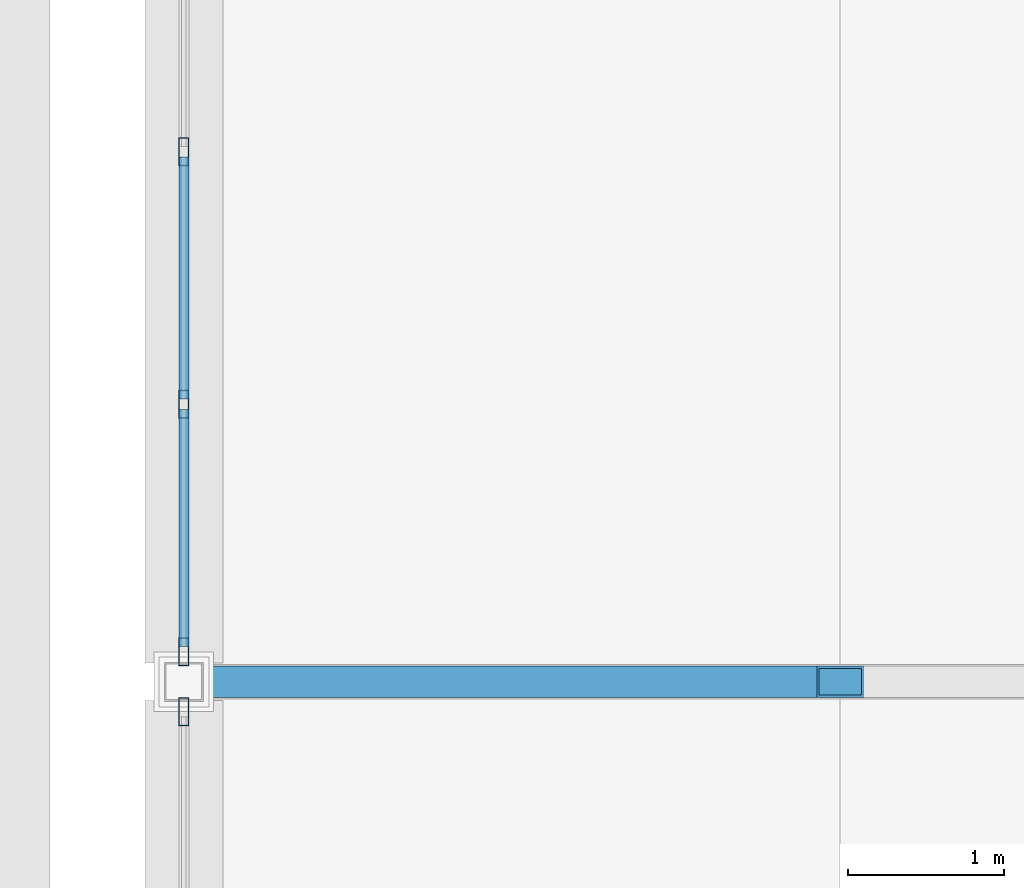
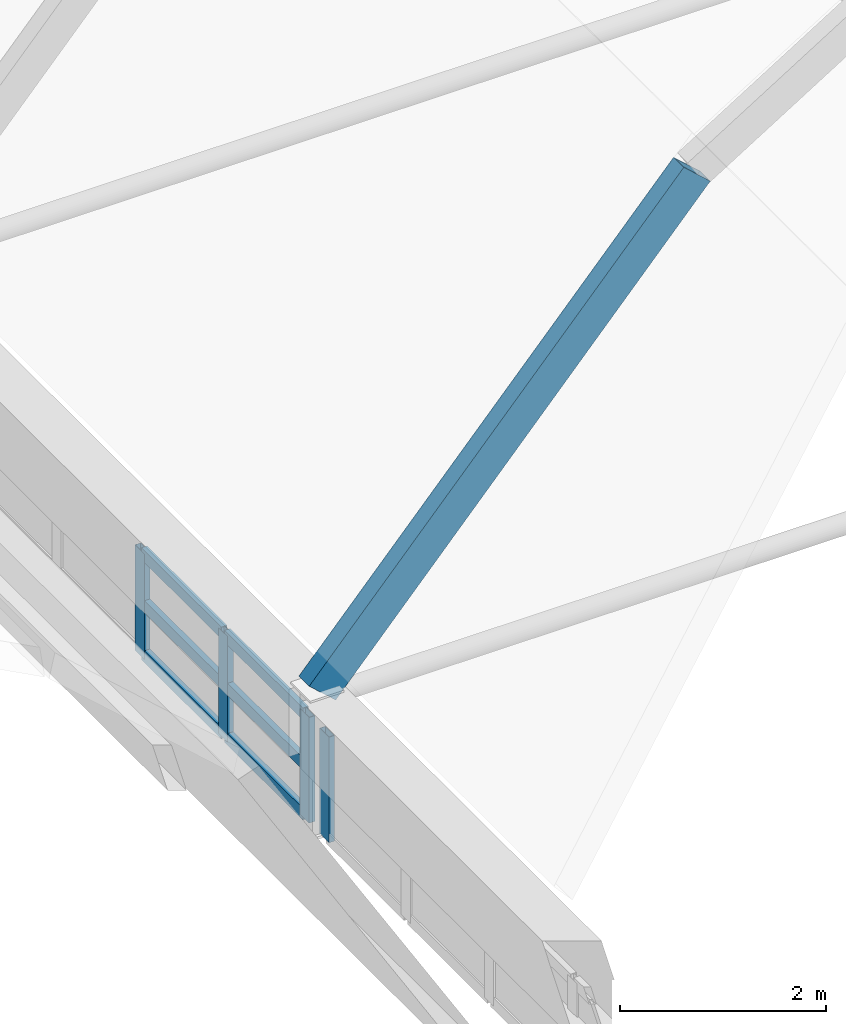
# One storey, part 13 of 114: 10 members, 1 beam, 2 elements without a shape of their own.
"""IFC4 building model written with IfcOpenShell, lengths in metres."""

from ifc_helpers import new_model, si_unit, direction, frame, origin, origin_2d, place, context, subcontext, project, spatial, hollow_rectangle, extrude, material, layer, layer_set, material_profile, profile_set, type_object, element, aggregate, save


model = new_model("IFC4")

# Units and contexts
model_context = context("Model", 3, precision=1e-05, world=origin(), true_north=direction((0.0, 1.0)))
body_context = subcontext(model_context, "Body", "Model", "MODEL_VIEW")
ifc_project = project(units=[si_unit("LENGTHUNIT", "METRE"), si_unit("AREAUNIT", "SQUARE_METRE"), si_unit("VOLUMEUNIT", "CUBIC_METRE"), si_unit("PLANEANGLEUNIT", "RADIAN"), si_unit("MASSUNIT", "GRAM", prefix="KILO")], contexts=[model_context])

# Site, building, storey
site_placement = place(None, origin())
site = spatial("IfcSite", under=ifc_project, at=site_placement, CompositionType="ELEMENT")
building_placement = place(site_placement, origin())
building = spatial("IfcBuilding", under=site, at=building_placement, Name="Xazarin Passage Department Store", CompositionType="ELEMENT")
storey_placement = place(building_placement, frame((0.0, 0.0, 14.39990234375)))
storey = spatial("IfcBuildingStorey", under=building, at=storey_placement, Name="L03", CompositionType="ELEMENT", Elevation=14.39990234375)

# Curtain wall, member
ifc_material_1 = material(Name="Bronze anodised aluminium", Category="aluminium")
ifc_layer = layer(ifc_material_1, 0.159912109375)
ifc_layer_set = layer_set([ifc_layer], Name="Bronze anodised aluminium")
curtain_wall_type = type_object("IfcCurtainWallType", Name="ARC-CW-ARC1", PredefinedType="NOTDEFINED", material=ifc_layer_set)
curtain_wall_1_placement = place(storey_placement, origin())
curtain_wall_1 = element("IfcCurtainWall", 1, at=curtain_wall_1_placement, inside=storey, type_object=curtain_wall_type, Name="L03 V2S Galleria Clerestory Curtain Wall 1W", PredefinedType="NOTDEFINED")
ifc_material_profile_1 = material_profile(ifc_material_1, hollow_rectangle(XDim=0.06494140625, YDim=0.179931640625, WallThickness=0.00390625, at=origin_2d()), Name="ALU 65x180")
ifc_profile_set_1 = profile_set([ifc_material_profile_1], Name="Bronze anodised aluminium")
member_type_1 = type_object("IfcMemberType", Name="ARC-CWM-65x180", PredefinedType="MULLION", material=ifc_profile_set_1)
member_1_placement = place(storey_placement, frame((68.0, 8.20751953125, 0.0), z_axis=(0.0, 0.0, 1.0), x_axis=(-1.0, 0.0, 0.0)))
member_1 = element("IfcMember", 2, at=member_1_placement, type_object=member_type_1, Name="CW3 mullion 6", PredefinedType="MULLION", context=body_context, shape_type="SweptSolid", body=[
    extrude(hollow_rectangle(XDim=0.06494140625, YDim=0.179931640625, WallThickness=0.00390625, at=origin_2d()), origin(), (0.0, 0.0, 1.0), 1.251708984375),
])
aggregate(curtain_wall_1, [member_1])

# Curtain wall, members
curtain_wall_2_placement = place(storey_placement, origin())
curtain_wall_2 = element("IfcCurtainWall", 3, at=curtain_wall_2_placement, inside=storey, type_object=curtain_wall_type, Name="L03 V2S Galleria Clerestory Curtain Wall 2W", PredefinedType="NOTDEFINED")
member_2_placement = place(storey_placement, frame((68.0, 8.592529296875, 0.0), z_axis=(0.0, 0.0, 1.0), x_axis=(-1.0, 0.0, 0.0)))
member_2 = element("IfcMember", 4, at=member_2_placement, type_object=member_type_1, Name="CW3 mullion 1", PredefinedType="MULLION", context=body_context, shape_type="SweptSolid", body=[
    extrude(hollow_rectangle(XDim=0.06494140625, YDim=0.179931640625, WallThickness=0.00390625, at=origin_2d()), origin(), (0.0, 0.0, 1.0), 1.251708984375),
])
member_3_placement = place(storey_placement, frame((68.0, 10.176025390625, 0.0), z_axis=(0.0, 0.0, 1.0), x_axis=(-1.0, 0.0, 0.0)))
member_3 = element("IfcMember", 5, at=member_3_placement, type_object=member_type_1, Name="CW3 mullion 2", PredefinedType="MULLION", context=body_context, shape_type="SweptSolid", body=[
    extrude(hollow_rectangle(XDim=0.06494140625, YDim=0.179931640625, WallThickness=0.00390625, at=origin_2d()), origin(), (0.0, 0.0, 1.0), 1.251708984375),
])
member_4_placement = place(storey_placement, frame((68.0, 11.7919921875, 0.0), z_axis=(0.0, 0.0, 1.0), x_axis=(-1.0, 0.0, 0.0)))
member_4 = element("IfcMember", 6, at=member_4_placement, type_object=member_type_1, Name="CW3 mullion 3", PredefinedType="MULLION", context=body_context, shape_type="SweptSolid", body=[
    extrude(hollow_rectangle(XDim=0.06494140625, YDim=0.179931640625, WallThickness=0.00390625, at=origin_2d()), origin(), (0.0, 0.0, 1.0), 1.251708984375),
])
ifc_material_profile_2 = material_profile(ifc_material_1, hollow_rectangle(XDim=0.06494140625, YDim=0.139892578125, WallThickness=0.00390625, at=origin_2d()), Name="ALU 65x140")
ifc_profile_set_2 = profile_set([ifc_material_profile_2], Name="Bronze anodised aluminium")
member_type_2 = type_object("IfcMemberType", Name="ARC-CWT-65x140", PredefinedType="USERDEFINED", material=ifc_profile_set_2)
member_5_placement = place(storey_placement, frame((68.0, 8.625, 0.03271484375), z_axis=(0.0, 1.0, 0.0), x_axis=(-1.0, 0.0, 0.0)))
member_5 = element("IfcMember", 7, at=member_5_placement, type_object=member_type_2, Name="CW3 transom 1.1", ObjectType="TRANSOM", PredefinedType="USERDEFINED", context=body_context, shape_type="SweptSolid", body=[
    extrude(hollow_rectangle(XDim=0.06494140625, YDim=0.139892578125, WallThickness=0.00390625, at=origin_2d()), origin(), (0.0, 0.0, 1.0), 1.5185546875),
])
member_6_placement = place(storey_placement, frame((68.0, 8.625, 0.6259765625), z_axis=(0.0, 1.0, 0.0), x_axis=(-1.0, 0.0, 0.0)))
member_6 = element("IfcMember", 8, at=member_6_placement, type_object=member_type_2, Name="CW3 transom 1.2", ObjectType="TRANSOM", PredefinedType="USERDEFINED", context=body_context, shape_type="SweptSolid", body=[
    extrude(hollow_rectangle(XDim=0.06494140625, YDim=0.139892578125, WallThickness=0.00390625, at=origin_2d()), origin(), (0.0, 0.0, 1.0), 1.5185546875),
])
member_7_placement = place(storey_placement, frame((68.0, 8.625, 1.21923828125), z_axis=(0.0, 1.0, 0.0), x_axis=(-1.0, 0.0, 0.0)))
member_7 = element("IfcMember", 9, at=member_7_placement, type_object=member_type_2, Name="CW3 transom 1.3", ObjectType="TRANSOM", PredefinedType="USERDEFINED", context=body_context, shape_type="SweptSolid", body=[
    extrude(hollow_rectangle(XDim=0.06494140625, YDim=0.139892578125, WallThickness=0.00390625, at=origin_2d()), origin(), (0.0, 0.0, 1.0), 1.5185546875),
])
member_8_placement = place(storey_placement, frame((68.0, 10.20849609375, 0.03271484375), z_axis=(0.0, 1.0, 0.0), x_axis=(-1.0, 0.0, 0.0)))
member_8 = element("IfcMember", 10, at=member_8_placement, type_object=member_type_2, Name="CW3 transom 2.1", ObjectType="TRANSOM", PredefinedType="USERDEFINED", context=body_context, shape_type="SweptSolid", body=[
    extrude(hollow_rectangle(XDim=0.06494140625, YDim=0.139892578125, WallThickness=0.00390625, at=origin_2d()), origin(), (0.0, 0.0, 1.0), 1.551025390625),
])
member_9_placement = place(storey_placement, frame((68.0, 10.20849609375, 0.6259765625), z_axis=(0.0, 1.0, 0.0), x_axis=(-1.0, 0.0, 0.0)))
member_9 = element("IfcMember", 11, at=member_9_placement, type_object=member_type_2, Name="CW3 transom 2.2", ObjectType="TRANSOM", PredefinedType="USERDEFINED", context=body_context, shape_type="SweptSolid", body=[
    extrude(hollow_rectangle(XDim=0.06494140625, YDim=0.139892578125, WallThickness=0.00390625, at=origin_2d()), origin(), (0.0, 0.0, 1.0), 1.551025390625),
])
member_10_placement = place(storey_placement, frame((68.0, 10.20849609375, 1.21923828125), z_axis=(0.0, 1.0, 0.0), x_axis=(-1.0, 0.0, 0.0)))
member_10 = element("IfcMember", 12, at=member_10_placement, type_object=member_type_2, Name="CW3 transom 2.3", ObjectType="TRANSOM", PredefinedType="USERDEFINED", context=body_context, shape_type="SweptSolid", body=[
    extrude(hollow_rectangle(XDim=0.06494140625, YDim=0.139892578125, WallThickness=0.00390625, at=origin_2d()), origin(), (0.0, 0.0, 1.0), 1.551025390625),
])
aggregate(curtain_wall_2, [member_2, member_3, member_4, member_5, member_6, member_7, member_8, member_9, member_10])

# Beam
ifc_material_2 = material(Name="Steel S355", Category="steel")
ifc_material_profile_3 = material_profile(ifc_material_2, hollow_rectangle(XDim=0.199951171875, YDim=0.39990234375, WallThickness=0.01611328125, at=origin_2d()), Name="RHS 400x200x16")
ifc_profile_set_3 = profile_set([ifc_material_profile_3], Name="Steel S355")
beam_type = type_object("IfcBeamType", Name="STR-BM-AR400", PredefinedType="BEAM", material=ifc_profile_set_3)
beam_placement = place(storey_placement, frame((68.0, 8.39990234375, 1.65185546875), z_axis=(0.667891545417, 0.0, 0.74425861336), x_axis=(0.0, 1.0, 0.0)))
element("IfcBeam", 13, at=beam_placement, inside=storey, type_object=beam_type, Name="V2S Primary Arch Rib 2.1", PredefinedType="BEAM", context=body_context, shape_type="SweptSolid", body=[
    extrude(hollow_rectangle(XDim=0.199951171875, YDim=0.39990234375, WallThickness=0.01611328125, at=origin_2d()), origin(), (0.0, 0.0, 1.0), 6.288330078125),
])

save(model, "model.ifc")
